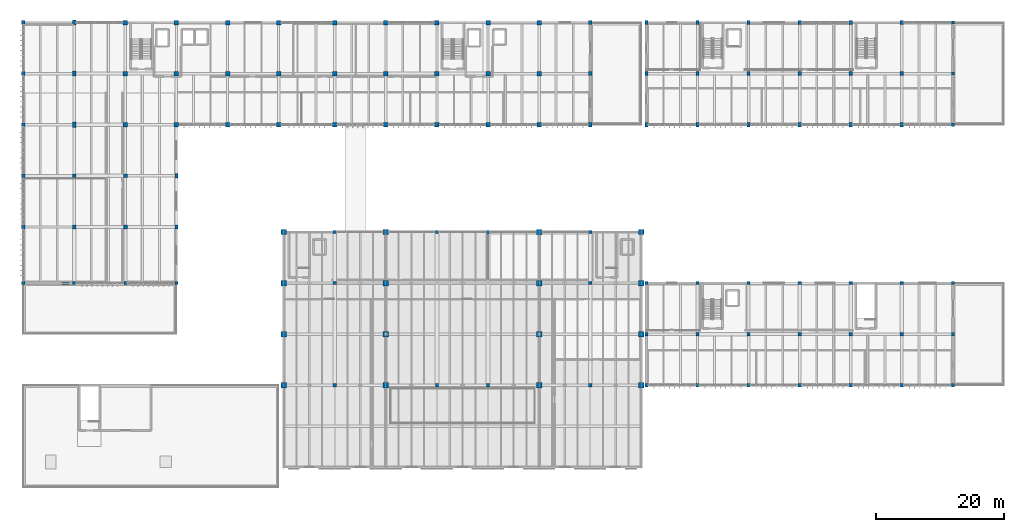
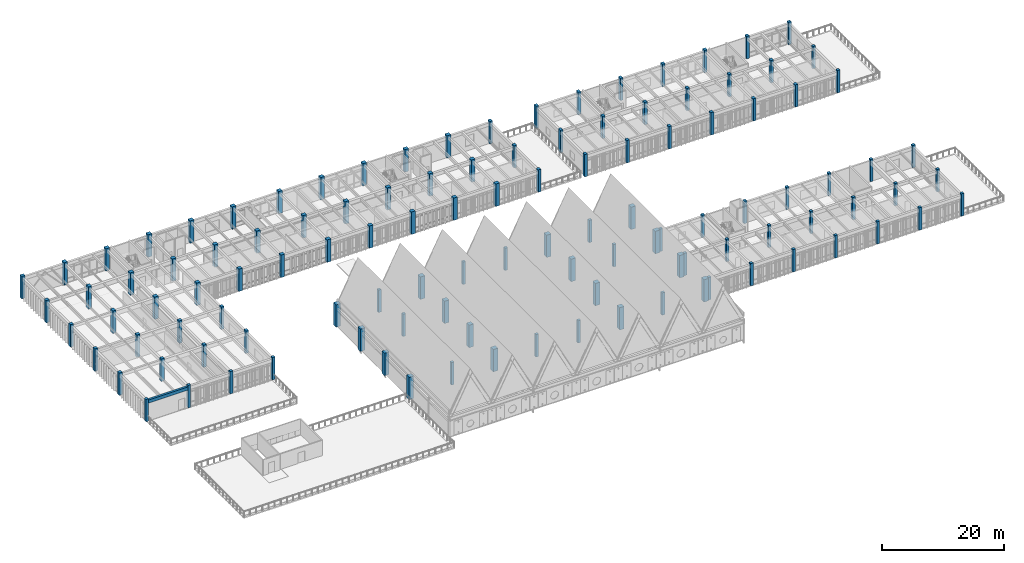
# One storey, part 1 of 72: 116 columns, 1 beam.
"""IFC4 building model written with IfcOpenShell, lengths in metres."""

from ifc_helpers import new_model, si_unit, direction, frame, origin, origin_2d, place, context, subcontext, project, spatial, rectangle, extrude, material, material_profile, profile_set, type_object, element, save


model = new_model("IFC4")

# Units and contexts
model_context = context("Model", 3, precision=1e-05, world=origin(), true_north=direction((0.0, 1.0)))
body_context = subcontext(model_context, "Body", "Model", "MODEL_VIEW")
ifc_project = project(units=[si_unit("LENGTHUNIT", "METRE"), si_unit("AREAUNIT", "SQUARE_METRE"), si_unit("VOLUMEUNIT", "CUBIC_METRE"), si_unit("PLANEANGLEUNIT", "RADIAN"), si_unit("MASSUNIT", "GRAM", prefix="KILO")], contexts=[model_context])

# Site, building, storey
site_placement = place(None, origin())
site = spatial("IfcSite", under=ifc_project, at=site_placement, CompositionType="ELEMENT")
building_placement = place(site_placement, origin())
building = spatial("IfcBuilding", under=site, at=building_placement, Name="Tlaxcora Railside Police Headquarters", CompositionType="ELEMENT")
storey_placement = place(building_placement, frame((0.0, 0.0, 13.5)))
storey = spatial("IfcBuildingStorey", under=building, at=storey_placement, Name="L03", CompositionType="ELEMENT", Elevation=13.5)

# Columns
ifc_material = material(Name="Concrete C40/50", Category="concrete")
ifc_material_profile_1 = material_profile(ifc_material, rectangle(XDim=0.5, YDim=0.64990234375, at=origin_2d()), Name="RC500X650")
ifc_profile_set_1 = profile_set([ifc_material_profile_1], Name="Concrete C40/50")
column_type_1 = type_object("IfcColumnType", Name="Structural Column CL-28", PredefinedType="COLUMN", material=ifc_profile_set_1)
for number, where, z_axis, x_axis, name in (
    (1, (29.199951171875, 60.800048828125, 0.0), (0.0, 0.0, 1.0), (1.0, 0.0, 0.0), "L03 column (29.2, 60.8)"),
    (2, (29.199951171875, 68.800048828125, 0.0), (0.0, 0.0, 1.0), (1.0, 0.0, 0.0), "L03 column (29.2, 68.8)"),
    (3, (94.0, 76.800048828125, 0.0), (0.0, 0.0, 1.0), (1.0, 0.0, 0.0), "L03 column (94.0, 76.8)"),
    (4, (94.0, 84.800048828125, 0.0), (0.0, 0.0, 1.0), (1.0, 0.0, 0.0), "L03 column (94.0, 84.8)"),
    (5, (94.0, 92.800048828125, 0.0), (0.0, 0.0, 1.0), (1.0, 0.0, 0.0), "L03 column (94.0, 92.8)"),
    (6, (102.800048828125, 76.800048828125, 0.0), (0.0, 0.0, 1.0), (1.0, 0.0, 0.0), "L03 column (102.8, 76.8)"),
    (7, (102.800048828125, 84.800048828125, 0.0), (0.0, 0.0, 1.0), (1.0, 0.0, 0.0), "L03 column (102.8, 84.8)"),
    (8, (102.800048828125, 92.800048828125, 0.0), (0.0, 0.0, 1.0), (1.0, 0.0, 0.0), "L03 column (102.8, 92.8)"),
    (9, (110.800048828125, 76.800048828125, 0.0), (0.0, 0.0, 1.0), (1.0, 0.0, 0.0), "L03 column (110.8, 76.8)"),
    (10, (110.800048828125, 84.800048828125, 0.0), (0.0, 0.0, 1.0), (1.0, 0.0, 0.0), "L03 column (110.8, 84.8)"),
    (11, (110.800048828125, 92.800048828125, 0.0), (0.0, 0.0, 1.0), (1.0, 0.0, 0.0), "L03 column (110.8, 92.8)"),
    (12, (118.800048828125, 76.800048828125, 0.0), (0.0, 0.0, 1.0), (1.0, 0.0, 0.0), "L03 column (118.8, 76.8)"),
    (13, (118.800048828125, 84.800048828125, 0.0), (0.0, 0.0, 1.0), (1.0, 0.0, 0.0), "L03 column (118.8, 84.8)"),
    (14, (118.800048828125, 92.800048828125, 0.0), (0.0, 0.0, 1.0), (1.0, 0.0, 0.0), "L03 column (118.8, 92.8)"),
    (15, (126.800048828125, 76.800048828125, 0.0), (0.0, 0.0, 1.0), (1.0, 0.0, 0.0), "L03 column (126.8, 76.8)"),
    (16, (126.800048828125, 84.800048828125, 0.0), (0.0, 0.0, 1.0), (1.0, 0.0, 0.0), "L03 column (126.8, 84.8)"),
    (17, (126.800048828125, 92.800048828125, 0.0), (0.0, 0.0, 1.0), (1.0, 0.0, 0.0), "L03 column (126.8, 92.8)"),
    (18, (134.800048828125, 76.800048828125, 0.0), (0.0, 0.0, 1.0), (1.0, 0.0, 0.0), "L03 column (134.8, 76.8)"),
    (19, (134.800048828125, 84.800048828125, 0.0), (0.0, 0.0, 1.0), (1.0, 0.0, 0.0), "L03 column (134.8, 84.8)"),
    (20, (134.800048828125, 92.800048828125, 0.0), (0.0, 0.0, 1.0), (1.0, 0.0, 0.0), "L03 column (134.8, 92.8)"),
    (21, (142.800048828125, 76.800048828125, 0.0), (0.0, 0.0, 1.0), (1.0, 0.0, 0.0), "L03 column (142.8, 76.8)"),
    (22, (142.800048828125, 84.800048828125, 0.0), (0.0, 0.0, 1.0), (1.0, 0.0, 0.0), "L03 column (142.8, 84.8)"),
    (23, (142.800048828125, 92.800048828125, 0.0), (0.0, 0.0, 1.0), (1.0, 0.0, 0.0), "L03 column (142.8, 92.8)"),
):
    element("IfcColumn", number, at=place(storey_placement, frame(where, z_axis=z_axis, x_axis=x_axis)), inside=storey, type_object=column_type_1, Name=name, PredefinedType="COLUMN", context=body_context, shape_type="SweptSolid", body=[
        extrude(rectangle(XDim=0.5, YDim=0.64990234375, at=origin_2d()), origin(), (0.0, 0.0, 1.0), 4.5),
    ])
ifc_material_profile_2 = material_profile(ifc_material, rectangle(XDim=0.699951171875, YDim=0.699951171875, at=origin_2d()), Name="RC700X700")
ifc_profile_set_2 = profile_set([ifc_material_profile_2], Name="Concrete C40/50")
column_type_2 = type_object("IfcColumnType", Name="Structural Column CL-43", PredefinedType="COLUMN", material=ifc_profile_set_2)
for number, where, z_axis, x_axis, name in (
    (24, (21.199951171875, 76.800048828125, 0.0), (0.0, 0.0, 1.0), (1.0, 0.0, 0.0), "L03 column (21.2, 76.8)"),
    (25, (21.199951171875, 84.800048828125, 0.0), (0.0, 0.0, 1.0), (1.0, 0.0, 0.0), "L03 column (21.2, 84.8)"),
    (26, (21.199951171875, 92.800048828125, 0.0), (0.0, 0.0, 1.0), (1.0, 0.0, 0.0), "L03 column (21.2, 92.8)"),
    (27, (29.199951171875, 76.800048828125, 0.0), (0.0, 0.0, 1.0), (1.0, 0.0, 0.0), "L03 column (29.2, 76.8)"),
    (28, (29.199951171875, 84.800048828125, 0.0), (0.0, 0.0, 1.0), (1.0, 0.0, 0.0), "L03 column (29.2, 84.8)"),
    (29, (29.199951171875, 92.800048828125, 0.0), (0.0, 0.0, 1.0), (1.0, 0.0, 0.0), "L03 column (29.2, 92.8)"),
    (30, (37.199951171875, 76.800048828125, 0.0), (0.0, 0.0, 1.0), (1.0, 0.0, 0.0), "L03 column (37.2, 76.8)"),
    (31, (37.199951171875, 84.800048828125, 0.0), (0.0, 0.0, 1.0), (1.0, 0.0, 0.0), "L03 column (37.2, 84.8)"),
    (32, (37.199951171875, 92.800048828125, 0.0), (0.0, 0.0, 1.0), (1.0, 0.0, 0.0), "L03 column (37.2, 92.8)"),
    (33, (45.199951171875, 76.800048828125, 0.0), (0.0, 0.0, 1.0), (1.0, 0.0, 0.0), "L03 column (45.2, 76.8)"),
    (34, (45.199951171875, 84.800048828125, 0.0), (0.0, 0.0, 1.0), (1.0, 0.0, 0.0), "L03 column (45.2, 84.8)"),
    (35, (45.199951171875, 92.800048828125, 0.0), (0.0, 0.0, 1.0), (1.0, 0.0, 0.0), "L03 column (45.2, 92.8)"),
    (36, (54.0, 76.800048828125, 0.0), (0.0, 0.0, 1.0), (1.0, 0.0, 0.0), "L03 column (54.0, 76.8)"),
    (37, (54.0, 84.800048828125, 0.0), (0.0, 0.0, 1.0), (1.0, 0.0, 0.0), "L03 column (54.0, 84.8)"),
    (38, (54.0, 92.800048828125, 0.0), (0.0, 0.0, 1.0), (1.0, 0.0, 0.0), "L03 column (54.0, 92.8)"),
    (39, (62.0, 76.800048828125, 0.0), (0.0, 0.0, 1.0), (1.0, 0.0, 0.0), "L03 column (62.0, 76.8)"),
    (40, (62.0, 84.800048828125, 0.0), (0.0, 0.0, 1.0), (1.0, 0.0, 0.0), "L03 column (62.0, 84.8)"),
    (41, (62.0, 92.800048828125, 0.0), (0.0, 0.0, 1.0), (1.0, 0.0, 0.0), "L03 column (62.0, 92.8)"),
    (42, (70.0, 76.800048828125, 0.0), (0.0, 0.0, 1.0), (1.0, 0.0, 0.0), "L03 column (70.0, 76.8)"),
    (43, (70.0, 84.800048828125, 0.0), (0.0, 0.0, 1.0), (1.0, 0.0, 0.0), "L03 column (70.0, 84.8)"),
    (44, (70.0, 92.800048828125, 0.0), (0.0, 0.0, 1.0), (1.0, 0.0, 0.0), "L03 column (70.0, 92.8)"),
    (45, (78.0, 76.800048828125, 0.0), (0.0, 0.0, 1.0), (1.0, 0.0, 0.0), "L03 column (78.0, 76.8)"),
    (46, (78.0, 84.800048828125, 0.0), (0.0, 0.0, 1.0), (1.0, 0.0, 0.0), "L03 column (78.0, 84.8)"),
    (47, (78.0, 92.800048828125, 0.0), (0.0, 0.0, 1.0), (1.0, 0.0, 0.0), "L03 column (78.0, 92.8)"),
    (48, (86.0, 76.800048828125, 0.0), (0.0, 0.0, 1.0), (1.0, 0.0, 0.0), "L03 column (86.0, 76.8)"),
    (49, (86.0, 84.800048828125, 0.0), (0.0, 0.0, 1.0), (1.0, 0.0, 0.0), "L03 column (86.0, 84.8)"),
    (50, (86.0, 92.800048828125, 0.0), (0.0, 0.0, 1.0), (1.0, 0.0, 0.0), "L03 column (86.0, 92.8)"),
):
    element("IfcColumn", number, at=place(storey_placement, frame(where, z_axis=z_axis, x_axis=x_axis)), inside=storey, type_object=column_type_2, Name=name, PredefinedType="COLUMN", context=body_context, shape_type="SweptSolid", body=[
        extrude(rectangle(XDim=0.699951171875, YDim=0.699951171875, at=origin_2d()), origin(), (0.0, 0.0, 1.0), 4.5),
    ])
ifc_material_profile_3 = material_profile(ifc_material, rectangle(XDim=0.60009765625, YDim=0.60009765625, at=origin_2d()), Name="RC600X600")
ifc_profile_set_3 = profile_set([ifc_material_profile_3], Name="Concrete C40/50")
column_type_3 = type_object("IfcColumnType", Name="Structural Column CL-53", PredefinedType="COLUMN", material=ifc_profile_set_3)
for number, where, z_axis, x_axis, name in (
    (51, (5.199951171875, 60.800048828125, 0.0), (0.0, 0.0, 1.0), (1.0, 0.0, 0.0), "L03 column (5.2, 60.8)"),
    (52, (5.199951171875, 68.800048828125, 0.0), (0.0, 0.0, 1.0), (1.0, 0.0, 0.0), "L03 column (5.2, 68.8)"),
    (53, (5.199951171875, 76.800048828125, 0.0), (0.0, 0.0, 1.0), (1.0, 0.0, 0.0), "L03 column (5.2, 76.8)"),
    (54, (5.199951171875, 84.800048828125, 0.0), (0.0, 0.0, 1.0), (1.0, 0.0, 0.0), "L03 column (5.2, 84.8)"),
    (55, (5.199951171875, 92.800048828125, 0.0), (0.0, 0.0, 1.0), (1.0, 0.0, 0.0), "L03 column (5.2, 92.8)"),
    (56, (13.199951171875, 60.800048828125, 0.0), (0.0, 0.0, 1.0), (1.0, 0.0, 0.0), "L03 column (13.2, 60.8)"),
    (57, (13.199951171875, 68.800048828125, 0.0), (0.0, 0.0, 1.0), (1.0, 0.0, 0.0), "L03 column (13.2, 68.8)"),
    (58, (21.199951171875, 60.800048828125, 0.0), (0.0, 0.0, 1.0), (1.0, 0.0, 0.0), "L03 column (21.2, 60.8)"),
    (59, (21.199951171875, 68.800048828125, 0.0), (0.0, 0.0, 1.0), (1.0, 0.0, 0.0), "L03 column (21.2, 68.8)"),
):
    element("IfcColumn", number, at=place(storey_placement, frame(where, z_axis=z_axis, x_axis=x_axis)), inside=storey, type_object=column_type_3, Name=name, PredefinedType="COLUMN", context=body_context, shape_type="SweptSolid", body=[
        extrude(rectangle(XDim=0.60009765625, YDim=0.60009765625, at=origin_2d()), origin(), (0.0, 0.0, 1.0), 4.5),
    ])
ifc_material_profile_4 = material_profile(ifc_material, rectangle(XDim=0.5, YDim=0.5, at=origin_2d()), Name="RC500X500")
ifc_profile_set_4 = profile_set([ifc_material_profile_4], Name="Concrete C40/50")
column_type_4 = type_object("IfcColumnType", Name="Structural Column CL-55", PredefinedType="COLUMN", material=ifc_profile_set_4)
for number, where, z_axis, x_axis, name in (
    (60, (5.199951171875, 52.0, 0.0), (0.0, 0.0, 1.0), (1.0, 0.0, 0.0), "L03 column (5.2, 52.0)"),
    (61, (13.199951171875, 52.0, 0.0), (0.0, 0.0, 1.0), (1.0, 0.0, 0.0), "L03 column (13.2, 52.0)"),
    (62, (21.199951171875, 52.0, 0.0), (0.0, 0.0, 1.0), (1.0, 0.0, 0.0), "L03 column (21.2, 52.0)"),
    (63, (29.199951171875, 52.0, 0.0), (0.0, 0.0, 1.0), (1.0, 0.0, 0.0), "L03 column (29.2, 52.0)"),
    (64, (54.0, 36.0, 0.0), (0.0, 0.0, 1.0), (1.0, 0.0, 0.0), "L03 column (54.0, 36.0)"),
    (65, (54.0, 52.0, 0.0), (0.0, 0.0, 1.0), (1.0, 0.0, 0.0), "L03 column (54.0, 52.0)"),
    (66, (54.0, 60.0, 0.0), (0.0, 0.0, 1.0), (1.0, 0.0, 0.0), "L03 column (54.0, 60.0)"),
    (67, (70.0, 36.0, 0.0), (0.0, 0.0, 1.0), (1.0, 0.0, 0.0), "L03 column (70.0, 36.0)"),
    (68, (70.0, 60.0, 0.0), (0.0, 0.0, 1.0), (1.0, 0.0, 0.0), "L03 column (70.0, 60.0)"),
    (69, (78.0, 36.0, 0.0), (0.0, 0.0, 1.0), (1.0, 0.0, 0.0), "L03 column (78.0, 36.0)"),
    (70, (78.0, 60.0, 0.0), (0.0, 0.0, 1.0), (1.0, 0.0, 0.0), "L03 column (78.0, 60.0)"),
    (71, (94.0, 36.0, 0.0), (0.0, 0.0, 1.0), (1.0, 0.0, 0.0), "L03 column (94.0, 36.0)"),
    (72, (94.0, 52.0, 0.0), (0.0, 0.0, 1.0), (1.0, 0.0, 0.0), "L03 column (94.0, 52.0)"),
    (73, (94.0, 60.0, 0.0), (0.0, 0.0, 1.0), (1.0, 0.0, 0.0), "L03 column (94.0, 60.0)"),
    (74, (102.800048828125, 36.0, 0.0), (0.0, 0.0, 1.0), (1.0, 0.0, 0.0), "L03 column (102.8, 36.0)"),
    (75, (102.800048828125, 44.0, 0.0), (0.0, 0.0, 1.0), (1.0, 0.0, 0.0), "L03 column (102.8, 44.0)"),
    (76, (102.800048828125, 52.0, 0.0), (0.0, 0.0, 1.0), (1.0, 0.0, 0.0), "L03 column (102.8, 52.0)"),
    (77, (110.800048828125, 36.0, 0.0), (0.0, 0.0, 1.0), (1.0, 0.0, 0.0), "L03 column (110.8, 36.0)"),
    (78, (110.800048828125, 44.0, 0.0), (0.0, 0.0, 1.0), (1.0, 0.0, 0.0), "L03 column (110.8, 44.0)"),
    (79, (110.800048828125, 52.0, 0.0), (0.0, 0.0, 1.0), (1.0, 0.0, 0.0), "L03 column (110.8, 52.0)"),
    (80, (118.800048828125, 36.0, 0.0), (0.0, 0.0, 1.0), (1.0, 0.0, 0.0), "L03 column (118.8, 36.0)"),
    (81, (118.800048828125, 44.0, 0.0), (0.0, 0.0, 1.0), (1.0, 0.0, 0.0), "L03 column (118.8, 44.0)"),
    (82, (118.800048828125, 52.0, 0.0), (0.0, 0.0, 1.0), (1.0, 0.0, 0.0), "L03 column (118.8, 52.0)"),
    (83, (126.800048828125, 36.0, 0.0), (0.0, 0.0, 1.0), (1.0, 0.0, 0.0), "L03 column (126.8, 36.0)"),
    (84, (126.800048828125, 44.0, 0.0), (0.0, 0.0, 1.0), (1.0, 0.0, 0.0), "L03 column (126.8, 44.0)"),
    (85, (126.800048828125, 52.0, 0.0), (0.0, 0.0, 1.0), (1.0, 0.0, 0.0), "L03 column (126.8, 52.0)"),
    (86, (134.800048828125, 36.0, 0.0), (0.0, 0.0, 1.0), (1.0, 0.0, 0.0), "L03 column (134.8, 36.0)"),
    (87, (134.800048828125, 44.0, 0.0), (0.0, 0.0, 1.0), (1.0, 0.0, 0.0), "L03 column (134.8, 44.0)"),
    (88, (134.800048828125, 52.0, 0.0), (0.0, 0.0, 1.0), (1.0, 0.0, 0.0), "L03 column (134.8, 52.0)"),
    (89, (142.800048828125, 36.0, 0.0), (0.0, 0.0, 1.0), (1.0, 0.0, 0.0), "L03 column (142.8, 36.0)"),
    (90, (142.800048828125, 44.0, 0.0), (0.0, 0.0, 1.0), (1.0, 0.0, 0.0), "L03 column (142.8, 44.0)"),
    (91, (142.800048828125, 52.0, 0.0), (0.0, 0.0, 1.0), (1.0, 0.0, 0.0), "L03 column (142.8, 52.0)"),
    (92, (150.800048828125, 36.0, 0.0), (0.0, 0.0, 1.0), (1.0, 0.0, 0.0), "L03 column (150.8, 36.0)"),
    (93, (150.800048828125, 44.0, 0.0), (0.0, 0.0, 1.0), (1.0, 0.0, 0.0), "L03 column (150.8, 44.0)"),
    (94, (150.800048828125, 52.0, 0.0), (0.0, 0.0, 1.0), (1.0, 0.0, 0.0), "L03 column (150.8, 52.0)"),
    (95, (150.800048828125, 76.800048828125, 0.0), (0.0, 0.0, 1.0), (1.0, 0.0, 0.0), "L03 column (150.8, 76.8)"),
    (96, (150.800048828125, 84.800048828125, 0.0), (0.0, 0.0, 1.0), (1.0, 0.0, 0.0), "L03 column (150.8, 84.8)"),
    (97, (150.800048828125, 92.800048828125, 0.0), (0.0, 0.0, 1.0), (1.0, 0.0, 0.0), "L03 column (150.8, 92.8)"),
):
    element("IfcColumn", number, at=place(storey_placement, frame(where, z_axis=z_axis, x_axis=x_axis)), inside=storey, type_object=column_type_4, Name=name, PredefinedType="COLUMN", context=body_context, shape_type="SweptSolid", body=[
        extrude(rectangle(XDim=0.5, YDim=0.5, at=origin_2d()), origin(), (0.0, 0.0, 1.0), 4.5),
    ])
ifc_material_profile_5 = material_profile(ifc_material, rectangle(XDim=0.85009765625, YDim=0.85009765625, at=origin_2d()), Name="RC850X850")
ifc_profile_set_5 = profile_set([ifc_material_profile_5], Name="Concrete C40/50")
column_type_5 = type_object("IfcColumnType", Name="Structural Column CL-77", PredefinedType="COLUMN", material=ifc_profile_set_5)
for number, where, z_axis, x_axis, name in (
    (98, (46.0, 36.0, 0.0), (0.0, 0.0, 1.0), (1.0, 0.0, 0.0), "L03 column (46.0, 36.0)"),
    (99, (46.0, 44.0, 0.0), (0.0, 0.0, 1.0), (1.0, 0.0, 0.0), "L03 column (46.0, 44.0)"),
    (100, (46.0, 52.0, 0.0), (0.0, 0.0, 1.0), (1.0, 0.0, 0.0), "L03 column (46.0, 52.0)"),
    (101, (46.0, 60.0, 0.0), (0.0, 0.0, 1.0), (1.0, 0.0, 0.0), "L03 column (46.0, 60.0)"),
    (102, (62.0, 36.0, 0.0), (0.0, 0.0, 1.0), (1.0, 0.0, 0.0), "L03 column (62.0, 36.0)"),
    (103, (62.0, 44.0, 0.0), (0.0, 0.0, 1.0), (1.0, 0.0, 0.0), "L03 column (62.0, 44.0)"),
    (104, (62.0, 52.0, 0.0), (0.0, 0.0, 1.0), (1.0, 0.0, 0.0), "L03 column (62.0, 52.0)"),
    (105, (62.0, 60.0, 0.0), (0.0, 0.0, 1.0), (1.0, 0.0, 0.0), "L03 column (62.0, 60.0)"),
    (106, (86.0, 36.0, 0.0), (0.0, 0.0, 1.0), (1.0, 0.0, 0.0), "L03 column (86.0, 36.0)"),
    (107, (86.0, 44.0, 0.0), (0.0, 0.0, 1.0), (1.0, 0.0, 0.0), "L03 column (86.0, 44.0)"),
    (108, (86.0, 52.0, 0.0), (0.0, 0.0, 1.0), (1.0, 0.0, 0.0), "L03 column (86.0, 52.0)"),
    (109, (86.0, 60.0, 0.0), (0.0, 0.0, 1.0), (1.0, 0.0, 0.0), "L03 column (86.0, 60.0)"),
    (110, (102.0, 36.0, 0.0), (0.0, 0.0, 1.0), (1.0, 0.0, 0.0), "L03 column (102.0, 36.0)"),
    (111, (102.0, 44.0, 0.0), (0.0, 0.0, 1.0), (1.0, 0.0, 0.0), "L03 column (102.0, 44.0)"),
    (112, (102.0, 52.0, 0.0), (0.0, 0.0, 1.0), (1.0, 0.0, 0.0), "L03 column (102.0, 52.0)"),
    (113, (102.0, 60.0, 0.0), (0.0, 0.0, 1.0), (1.0, 0.0, 0.0), "L03 column (102.0, 60.0)"),
):
    element("IfcColumn", number, at=place(storey_placement, frame(where, z_axis=z_axis, x_axis=x_axis)), inside=storey, type_object=column_type_5, Name=name, PredefinedType="COLUMN", context=body_context, shape_type="SweptSolid", body=[
        extrude(rectangle(XDim=0.85009765625, YDim=0.85009765625, at=origin_2d()), origin(), (0.0, 0.0, 1.0), 4.5),
    ])
ifc_material_profile_6 = material_profile(ifc_material, rectangle(XDim=0.60009765625, YDim=0.800048828125, at=origin_2d()), Name="RC600X800")
ifc_profile_set_6 = profile_set([ifc_material_profile_6], Name="Concrete C40/50")
column_type_6 = type_object("IfcColumnType", Name="Structural Column CL-90", PredefinedType="COLUMN", material=ifc_profile_set_6)
for number, where, z_axis, x_axis, name in (
    (114, (13.199951171875, 76.800048828125, 0.0), (0.0, 0.0, 1.0), (1.0, 0.0, 0.0), "L03 column (13.2, 76.8)"),
    (115, (13.199951171875, 84.800048828125, 0.0), (0.0, 0.0, 1.0), (1.0, 0.0, 0.0), "L03 column (13.2, 84.8)"),
    (116, (13.199951171875, 92.800048828125, 0.0), (0.0, 0.0, 1.0), (1.0, 0.0, 0.0), "L03 column (13.2, 92.8)"),
):
    element("IfcColumn", number, at=place(storey_placement, frame(where, z_axis=z_axis, x_axis=x_axis)), inside=storey, type_object=column_type_6, Name=name, PredefinedType="COLUMN", context=body_context, shape_type="SweptSolid", body=[
        extrude(rectangle(XDim=0.60009765625, YDim=0.800048828125, at=origin_2d()), origin(), (0.0, 0.0, 1.0), 4.5),
    ])

# Beam
ifc_material_profile_7 = material_profile(ifc_material, rectangle(XDim=0.39990234375, YDim=0.64990234375, at=origin_2d()), Name="RC400X650")
ifc_profile_set_7 = profile_set([ifc_material_profile_7], Name="Concrete C40/50")
beam_type = type_object("IfcBeamType", Name="Perimeter Spandrel Beam BM-46", PredefinedType="SPANDREL", material=ifc_profile_set_7)
beam_placement = place(storey_placement, frame((5.43994140625, 52.0, 3.864990234375), z_axis=(1.0, 0.0, 0.0), x_axis=(0.0, 1.0, 0.0)))
element("IfcBeam", 117, at=beam_placement, inside=storey, type_object=beam_type, Name="V5 L03 X-girder Y=52.0", PredefinedType="SPANDREL", context=body_context, shape_type="SweptSolid", body=[
    extrude(rectangle(XDim=0.39990234375, YDim=0.64990234375, at=origin_2d()), origin(), (0.0, 0.0, 1.0), 7.52001953125),
])

save(model, "model.ifc")
